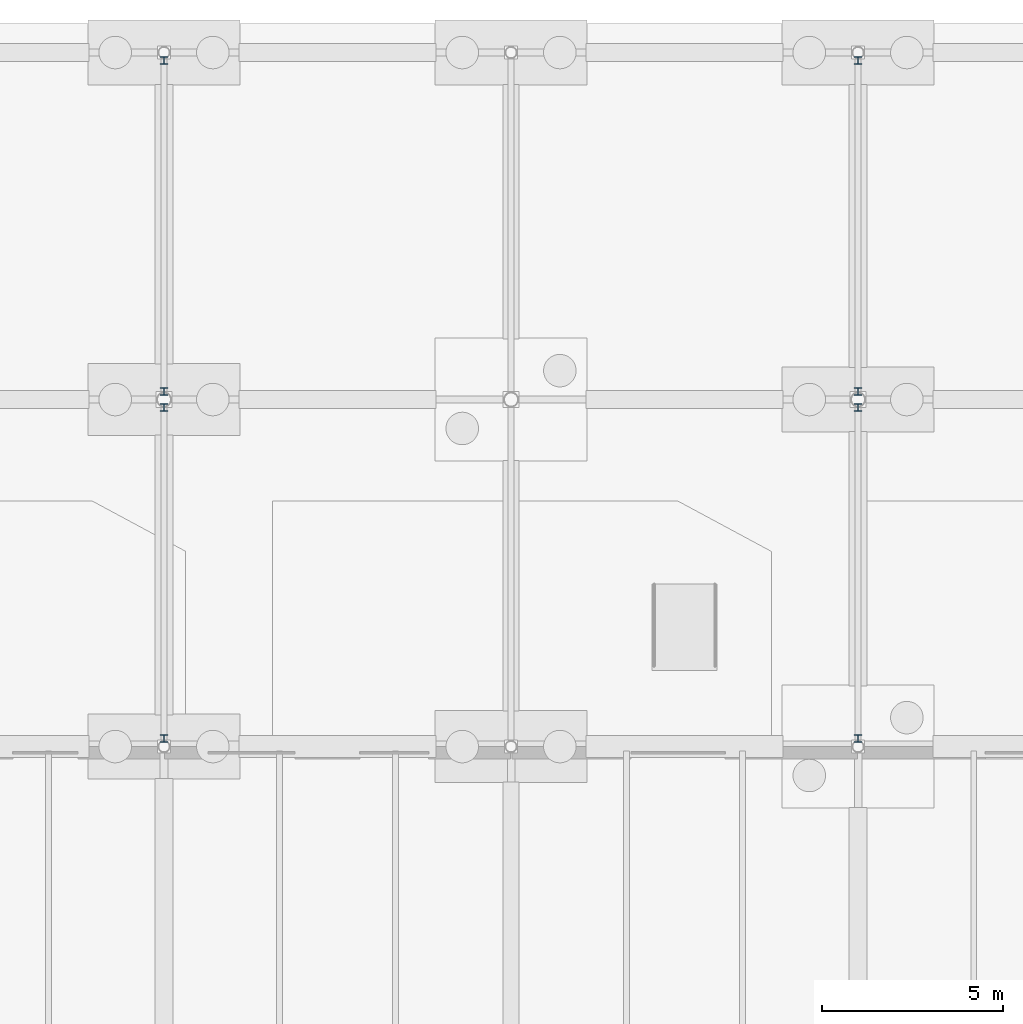
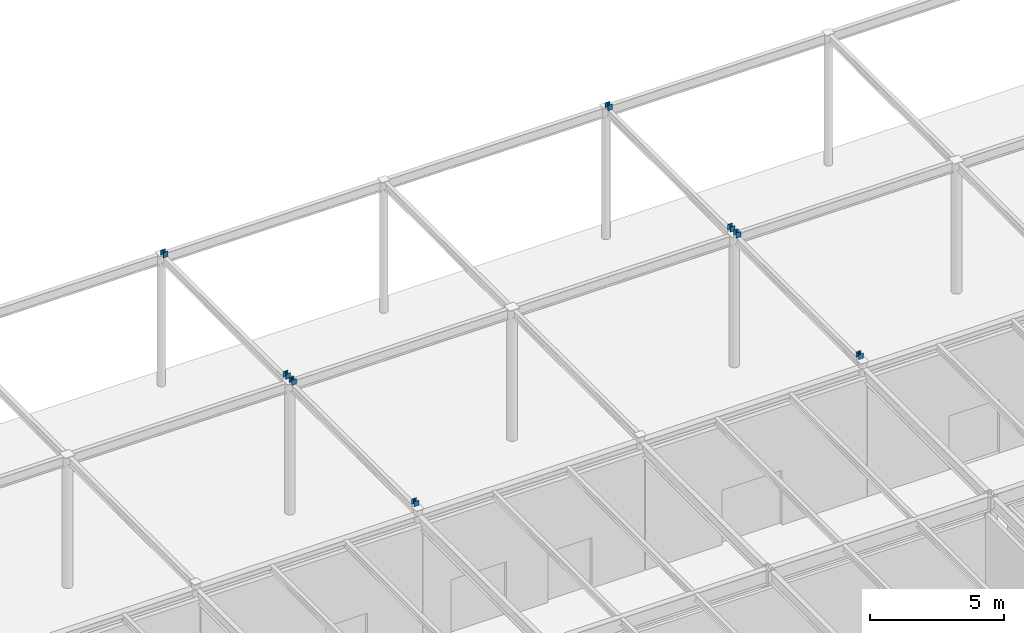
# One storey, part 30 of 142: 8 columns.
"""IFC4 building model written with IfcOpenShell, lengths in metres."""

import ifcopenshell
import ifcopenshell.guid

model = None  # the IFC model being written
_history = None  # IfcOwnerHistory: only IFC2X3 demands one
_inside = {}  # id of a spatial element -> (the spatial element, [elements in it])
_under = {}  # id of a project, library or spatial element -> (it, [spatial elements below it])
_declared = {}  # id of a project -> (the project, [libraries it declares])
_typed = {}  # id of a type object -> (the type object, [elements of that type])
_made_of = {}  # id of a material, layer set ... -> (it, [elements and type objects made of it])


def new_model(schema):
    """Start an empty IFC model of exactly this schema.

    Asked for "IFC4X3", IfcOpenShell would pick the latest addendum, in which some entities
    have other attributes; the version numbers below select the first issue.
    IFC2X3 requires an IfcOwnerHistory on every rooted entity: one is made here for all.
    """
    global model, _history
    if schema == "IFC4X3":
        model = ifcopenshell.file(schema_version=(4, 3, 0, 0))
    else:
        model = ifcopenshell.file(schema=schema)
    _inside.clear()
    _under.clear()
    _declared.clear()
    _typed.clear()
    _made_of.clear()
    _history = None
    if model.schema == "IFC2X3":
        org = make("IfcOrganization", Name="unknown")
        user = make(
            "IfcPersonAndOrganization",
            ThePerson=make("IfcPerson", FamilyName="unknown"),
            TheOrganization=org,
        )
        app = make(
            "IfcApplication",
            ApplicationDeveloper=org,
            Version="unknown",
            ApplicationFullName="unknown",
            ApplicationIdentifier="unknown",
        )
        _history = make(
            "IfcOwnerHistory",
            OwningUser=user,
            OwningApplication=app,
            ChangeAction="ADDED",
            CreationDate=0,
        )
    return model


def make(cls, **values):
    """One entity of the class cls with the attributes given. An attribute that is None is left unset."""
    return model.create_entity(
        cls, **{name: value for name, value in values.items() if value is not None}
    )


def rooted(cls, **values):
    """An entity with a GlobalId (a new one), such as an element, a storey or a relation."""
    return make(cls, GlobalId=ifcopenshell.guid.new(), OwnerHistory=_history, **values)


def si_unit(unit_type, name, prefix=None):
    """IfcSIUnit, for example si_unit("LENGTHUNIT", "METRE", prefix="MILLI")."""
    return make("IfcSIUnit", UnitType=unit_type, Prefix=prefix, Name=name)


def assignment(units):
    """IfcUnitAssignment: the units of a project."""
    return None if units is None else make("IfcUnitAssignment", Units=units)


def point(xyz):
    """IfcCartesianPoint."""
    return None if xyz is None else make("IfcCartesianPoint", Coordinates=xyz)


def direction(xyz):
    """IfcDirection."""
    return None if xyz is None else make("IfcDirection", DirectionRatios=xyz)


def frame(location, z_axis=None, x_axis=None):
    """IfcAxis2Placement3D, a coordinate frame: its origin and axes. An axis left out is left unset."""
    return make(
        "IfcAxis2Placement3D",
        Location=point(location),
        Axis=direction(z_axis),
        RefDirection=direction(x_axis),
    )


def frame_2d(location, x_axis=None):
    """IfcAxis2Placement2D, a coordinate frame in the plane: its origin and x axis."""
    return make(
        "IfcAxis2Placement2D", Location=point(location), RefDirection=direction(x_axis)
    )


def origin():
    """The frame at (0, 0, 0) with its axes left unset."""
    return frame((0.0, 0.0, 0.0))


def origin_2d():
    """The frame at (0, 0) in the plane with its x axis left unset."""
    return frame_2d((0.0, 0.0))


def place(relative_to, where):
    """IfcLocalPlacement: puts the frame where relative to a parent placement (None: the world)."""
    return make(
        "IfcLocalPlacement", PlacementRelTo=relative_to, RelativePlacement=where
    )


def context(
    kind, dimensions, precision=None, world=None, true_north=None, identifier=None
):
    """IfcGeometricRepresentationContext, for example the 3D "Model" context."""
    return make(
        "IfcGeometricRepresentationContext",
        ContextIdentifier=identifier,
        ContextType=kind,
        CoordinateSpaceDimension=dimensions,
        Precision=precision,
        WorldCoordinateSystem=world,
        TrueNorth=true_north,
    )


def subcontext(parent, identifier, kind, view, scale=None):
    """IfcGeometricRepresentationSubContext, for example "Body" below "Model"."""
    return make(
        "IfcGeometricRepresentationSubContext",
        ContextIdentifier=identifier,
        ContextType=kind,
        ParentContext=parent,
        TargetScale=scale,
        TargetView=view,
    )


def project(units=None, contexts=None):
    """IfcProject with its units and contexts."""
    return rooted(
        "IfcProject",
        Name="project",
        RepresentationContexts=contexts,
        UnitsInContext=assignment(units),
    )


def spatial(cls, under=None, at=None, **own):
    """A site, building, storey or space (cls), placed at a placement, below another one or the project."""
    s = rooted(cls, ObjectPlacement=at, **own)
    if under is not None:
        _under.setdefault(under.id(), (under, []))[1].append(s)
    return s


def profile(cls, at=None, kind="AREA", **sizes):
    """A parametric profile (cls). Its sizes go by their IFC names, for example OverallWidth=200.0."""
    return make(cls, ProfileType=kind, Position=at, **sizes)


def i_section(**sizes):
    """IfcIShapeProfileDef."""
    return profile("IfcIShapeProfileDef", **sizes)


def extrude(swept, where, along, depth):
    """IfcExtrudedAreaSolid: the profile swept, set in the frame where, extruded along a direction by depth."""
    return make(
        "IfcExtrudedAreaSolid",
        SweptArea=swept,
        Position=where,
        ExtrudedDirection=direction(along),
        Depth=depth,
    )


def shape(context_of_items, identifier, shape_type, items):
    """IfcShapeRepresentation: the items that make up one representation, for example the "Body"."""
    return make(
        "IfcShapeRepresentation",
        ContextOfItems=context_of_items,
        RepresentationIdentifier=identifier,
        RepresentationType=shape_type,
        Items=items,
    )


def material(Name=None, Category=None):
    """IfcMaterial."""
    return make("IfcMaterial", Name=Name, Category=Category)


def material_profile(
    of_material, cross_section, Name=None, Category=None, Priority=None
):
    """IfcMaterialProfile: a cross section and its material."""
    return make(
        "IfcMaterialProfile",
        Name=Name,
        Material=of_material,
        Profile=cross_section,
        Priority=Priority,
        Category=Category,
    )


def profile_set(profiles, Name=None, composite=None):
    """IfcMaterialProfileSet."""
    return make(
        "IfcMaterialProfileSet",
        Name=Name,
        MaterialProfiles=profiles,
        CompositeProfile=composite,
    )


def made_of(thing, what):
    """Note that an element or type object is made of a material, layer set ...; save() writes the relation."""
    if what is not None:
        _made_of.setdefault(what.id(), (what, []))[1].append(thing)
    return thing


def type_object(cls, material=None, **own):
    """A type object (cls), such as IfcWallType, which elements share."""
    return made_of(rooted(cls, **own), material)


def element(
    cls,
    number,
    at=None,
    inside=None,
    cuts=None,
    type_object=None,
    material=None,
    context=None,
    identifier="Body",
    shape_type=None,
    held_by="IfcProductDefinitionShape",
    body=None,
    shapes=None,
    **own,
):
    """One element of the class cls, such as IfcWall. Its Tag is "e" and its number.

    at: its placement. inside: the storey or other place that contains it. cuts: it is an
    opening in that element (IfcRelVoidsElement). A single representation is given by context,
    identifier, shape_type and body (its items); several are given by shapes. held_by: the class
    of the entity that holds the representations. save() writes the other relations.
    """
    e = rooted(cls, Tag="e%d" % number, ObjectPlacement=at, **own)
    if body is not None:
        shapes = [shape(context, identifier, shape_type, body)]
    if shapes is not None:
        e.Representation = make(held_by, Representations=shapes)
    if inside is not None:
        _inside.setdefault(inside.id(), (inside, []))[1].append(e)
    if cuts is not None:
        rooted(
            "IfcRelVoidsElement", RelatingBuildingElement=cuts, RelatedOpeningElement=e
        )
    if type_object is not None:
        _typed.setdefault(type_object.id(), (type_object, []))[1].append(e)
    return made_of(e, material)


def aggregate(whole, parts):
    """IfcRelAggregates: a whole, such as a stair, and the parts it consists of."""
    return rooted("IfcRelAggregates", RelatingObject=whole, RelatedObjects=parts)


def save(model, path):
    """Write the relations noted so far, then the file.

    IfcRelAggregates (storeys below a building ...), IfcRelContainedInSpatialStructure (elements
    in a storey), IfcRelDefinesByType, IfcRelAssociatesMaterial and IfcRelDeclares: one each for
    every whole, place, type object, material and project.
    """
    for whole, parts in _under.values():
        aggregate(whole, parts)
    for where, things in _inside.values():
        rooted(
            "IfcRelContainedInSpatialStructure",
            RelatedElements=things,
            RelatingStructure=where,
        )
    for kind, things in _typed.values():
        rooted("IfcRelDefinesByType", RelatedObjects=things, RelatingType=kind)
    for what, things in _made_of.values():
        rooted("IfcRelAssociatesMaterial", RelatedObjects=things, RelatingMaterial=what)
    for by, libraries in _declared.values():
        rooted("IfcRelDeclares", RelatingContext=by, RelatedDefinitions=libraries)
    model.write(path)


model = new_model("IFC4")

# Units and contexts
model_context = context("Model", 3, precision=1e-05, world=origin(), true_north=direction((0.0, 1.0)))
body_context = subcontext(model_context, "Body", "Model", "MODEL_VIEW")
ifc_project = project(units=[si_unit("LENGTHUNIT", "METRE"), si_unit("AREAUNIT", "SQUARE_METRE"), si_unit("VOLUMEUNIT", "CUBIC_METRE"), si_unit("PLANEANGLEUNIT", "RADIAN"), si_unit("MASSUNIT", "GRAM", prefix="KILO")], contexts=[model_context])

# Site, building, storey
site_placement = place(None, origin())
site = spatial("IfcSite", under=ifc_project, at=site_placement, CompositionType="ELEMENT")
building_placement = place(site_placement, origin())
building = spatial("IfcBuilding", under=site, at=building_placement, Name="Coralgate Yard Interchange", CompositionType="ELEMENT")
storey_placement = place(building_placement, origin())
storey = spatial("IfcBuildingStorey", under=building, at=storey_placement, Name="L00", CompositionType="ELEMENT", Elevation=0.0)

# Columns
ifc_material = material(Name="Structural steel S355J2", Category="steel")
ifc_material_profile = material_profile(ifc_material, i_section(OverallWidth=0.205810546875, OverallDepth=0.209716796875, WebThickness=0.009521484375, FlangeThickness=0.01416015625, FilletRadius=0.01025390625, at=origin_2d()), Name="UC 203x203x60")
ifc_profile_set = profile_set([ifc_material_profile], Name="Structural steel S355J2")
column_type = type_object("IfcColumnType", Name="COL-SC-9", PredefinedType="COLUMN", material=ifc_profile_set)
for number, where, z_axis, x_axis, name in (
    (1, (134.39990234375, 96.219970703125, 6.001953125), (0.0, 0.0, 1.0), (1.0, 0.0, 0.0), "Wave-shell valley shoe post WVST-R1-134-S"),
    (2, (134.39990234375, 105.3798828125, 6.001953125), (0.0, 0.0, 1.0), (1.0, 0.0, 0.0), "Wave-shell valley shoe post WVST-R1-134-N"),
    (3, (153.60009765625, 96.219970703125, 6.001953125), (0.0, 0.0, 1.0), (1.0, 0.0, 0.0), "Wave-shell valley shoe post WVST-R1-154-S"),
    (4, (153.60009765625, 105.3798828125, 6.001953125), (0.0, 0.0, 1.0), (1.0, 0.0, 0.0), "Wave-shell valley shoe post WVST-R1-154-N"),
    (5, (134.39990234375, 105.820068359375, 6.001953125), (0.0, 0.0, 1.0), (1.0, 0.0, 0.0), "Wave-shell valley shoe post WVST-R2-134-S"),
    (6, (134.39990234375, 114.97998046875, 6.001953125), (0.0, 0.0, 1.0), (1.0, 0.0, 0.0), "Wave-shell valley shoe post WVST-R2-134-N"),
    (7, (153.60009765625, 105.820068359375, 6.001953125), (0.0, 0.0, 1.0), (1.0, 0.0, 0.0), "Wave-shell valley shoe post WVST-R2-154-S"),
    (8, (153.60009765625, 114.97998046875, 6.001953125), (0.0, 0.0, 1.0), (1.0, 0.0, 0.0), "Wave-shell valley shoe post WVST-R2-154-N"),
):
    element("IfcColumn", number, at=place(storey_placement, frame(where, z_axis=z_axis, x_axis=x_axis)), inside=storey, type_object=column_type, Name=name, PredefinedType="COLUMN", context=body_context, shape_type="SweptSolid", body=[
        extrude(i_section(OverallWidth=0.205810546875, OverallDepth=0.209716796875, WebThickness=0.009521484375, FlangeThickness=0.01416015625, FilletRadius=0.01025390625, at=origin_2d()), origin(), (0.0, 0.0, 1.0), 0.2431640625),
    ])

save(model, "model.ifc")
